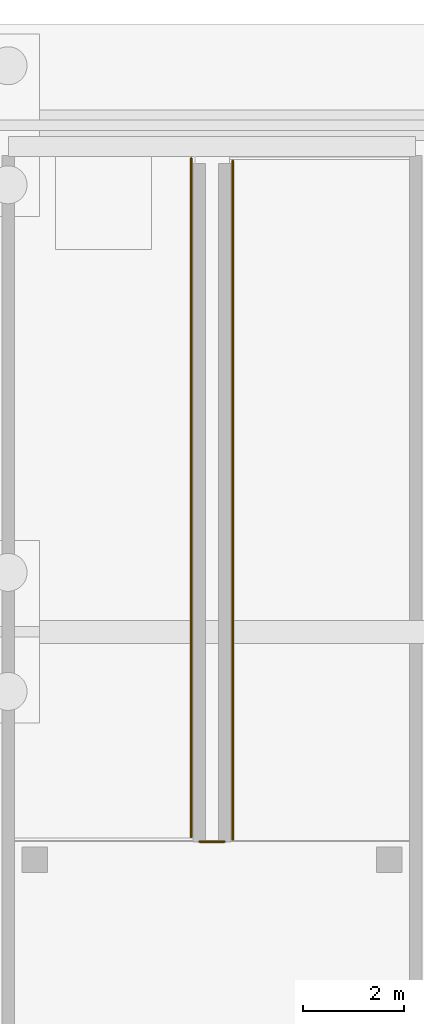
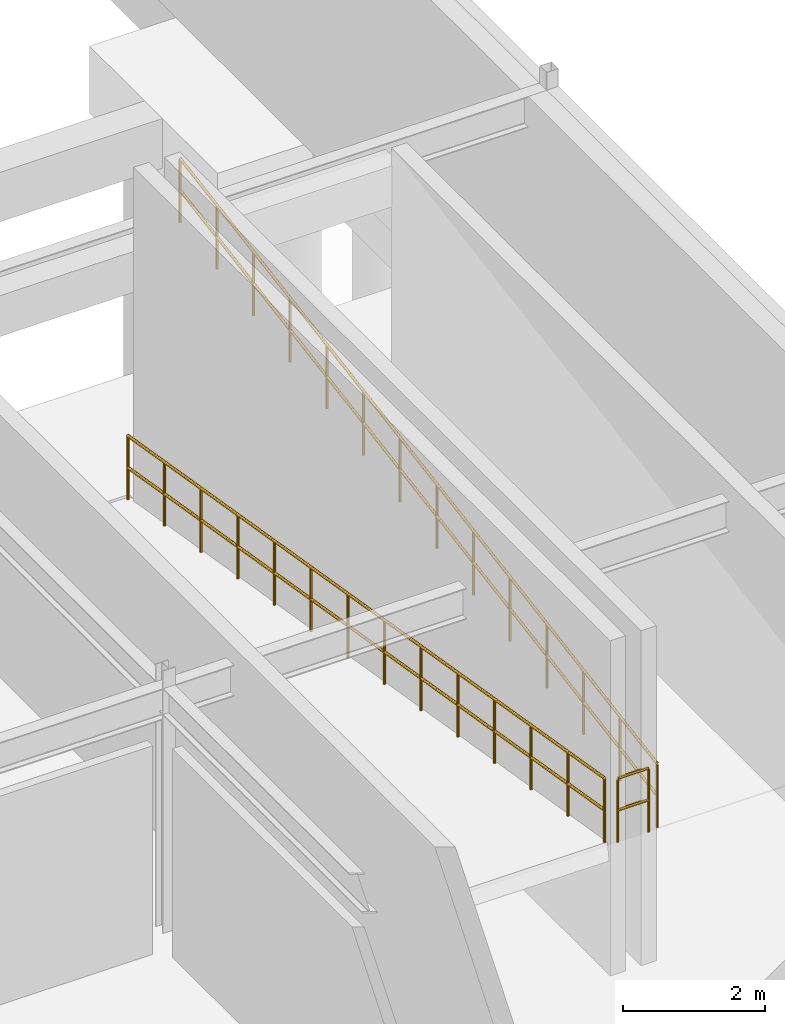
# One storey, part 74 of 75: 3 railings.
"""IFC4 building model written with IfcOpenShell, lengths in metres."""

from ifc_helpers import new_model, si_unit, derived_unit, direction, frame, origin, origin_2d_with_axis, place, context, subcontext, project, spatial, circle, extrude, material, layer, layer_set, type_object, element, save


model = new_model("IFC4")

# Units and contexts
model_context = context("Model", 3, precision=1e-05, world=origin(), true_north=direction((0.0, 1.0)))
body_context = subcontext(model_context, "Body", "Model", "MODEL_VIEW")
ifc_project = project(units=[si_unit("LENGTHUNIT", "METRE"), si_unit("AREAUNIT", "SQUARE_METRE"), si_unit("VOLUMEUNIT", "CUBIC_METRE"), si_unit("PLANEANGLEUNIT", "RADIAN"), si_unit("MASSUNIT", "GRAM", prefix="KILO"), derived_unit("THERMALTRANSMITTANCEUNIT", [(si_unit("POWERUNIT", "WATT"), 1), (si_unit("LENGTHUNIT", "METRE"), -2), (si_unit("THERMODYNAMICTEMPERATUREUNIT", "KELVIN"), -1)])], contexts=[model_context])

# Site, building, storey
site_placement = place(None, origin())
site = spatial("IfcSite", under=ifc_project, at=site_placement, CompositionType="ELEMENT")
building_placement = place(site_placement, origin())
building = spatial("IfcBuilding", under=site, at=building_placement, Name="Cinnabar Yard Market Hall", CompositionType="ELEMENT")
storey_placement = place(building_placement, frame((0.0, 0.0, -4.5)))
storey = spatial("IfcBuildingStorey", under=building, at=storey_placement, Name="B1", CompositionType="ELEMENT", Elevation=-4.5)

# Railings
ifc_material = material(Name="Galvanised steel Grade 300 (300 MPa) guardrail", Category="steel")
ifc_layer = layer(ifc_material, 0.06005859375)
ifc_layer_set = layer_set([ifc_layer], Name="Galvanised steel Grade 300 (300 MPa) guardrail")
railing_type = type_object("IfcRailingType", Name="RL-G03", PredefinedType="GUARDRAIL", material=ifc_layer_set)
railing_1_placement = place(storey_placement, frame((206.949951171875, 19.860107421875, 2.25)))
element("IfcRailing", 1, at=railing_1_placement, inside=storey, type_object=railing_type, Name="Cold-Chain Ramp Spine Turn Guard", PredefinedType="GUARDRAIL", context=body_context, shape_type="SweptSolid", body=[
    extrude(circle(Radius=0.02392578125, at=origin_2d_with_axis()), frame((0.0, 0.0, 1.09619140625), z_axis=(1.0, 0.0, 0.0), x_axis=(0.0, 1.0, 0.0)), (0.0, 0.0, 1.0), 0.5),
    extrude(circle(Radius=0.02392578125, at=origin_2d_with_axis()), frame((0.0, 0.0, 0.550048828125), z_axis=(1.0, 0.0, 0.0), x_axis=(0.0, 1.0, 0.0)), (0.0, 0.0, 1.0), 0.5),
    extrude(circle(Radius=0.02099609375, at=origin_2d_with_axis()), origin(), (0.0, 0.0, 1.0), 1.072021484375),
    extrude(circle(Radius=0.02099609375, at=origin_2d_with_axis()), frame((0.5, 0.0, 0.0)), (0.0, 0.0, 1.0), 1.072021484375),
])
railing_2_placement = place(storey_placement, frame((207.610107421875, 19.89990234375, 2.25)))
element("IfcRailing", 2, at=railing_2_placement, inside=storey, type_object=railing_type, Name="Cold-Chain Ramp Upper Flight Inner Guard", PredefinedType="GUARDRAIL", context=body_context, shape_type="SweptSolid", body=[
    extrude(circle(Radius=0.02392578125, at=origin_2d_with_axis()), frame((0.0, 0.0, 1.09619140625), z_axis=(0.0, 0.98619458775, 0.165590564627), x_axis=(-1.0, 0.0, 0.0)), (0.0, 0.0, 1.0), 13.587646484375),
    extrude(circle(Radius=0.02392578125, at=origin_2d_with_axis()), frame((0.0, 0.0, 0.550048828125), z_axis=(0.0, 0.98619458775, 0.165590564627), x_axis=(-1.0, 0.0, 0.0)), (0.0, 0.0, 1.0), 13.587646484375),
    extrude(circle(Radius=0.02099609375, at=origin_2d_with_axis()), origin(), (0.0, 0.0, 1.0), 1.072021484375),
    extrude(circle(Radius=0.02099609375, at=origin_2d_with_axis()), frame((0.0, 1.03076171875, 0.173095703125)), (0.0, 0.0, 1.0), 1.072021484375),
    extrude(circle(Radius=0.02099609375, at=origin_2d_with_axis()), frame((0.0, 2.0615234375, 0.34619140625)), (0.0, 0.0, 1.0), 1.072021484375),
    extrude(circle(Radius=0.02099609375, at=origin_2d_with_axis()), frame((0.0, 3.09228515625, 0.519287109375)), (0.0, 0.0, 1.0), 1.072021484375),
    extrude(circle(Radius=0.02099609375, at=origin_2d_with_axis()), frame((0.0, 4.123046875, 0.6923828125)), (0.0, 0.0, 1.0), 1.072021484375),
    extrude(circle(Radius=0.02099609375, at=origin_2d_with_axis()), frame((0.0, 5.15380859375, 0.865478515625)), (0.0, 0.0, 1.0), 1.072021484375),
    extrude(circle(Radius=0.02099609375, at=origin_2d_with_axis()), frame((0.0, 6.1845703125, 1.03857421875)), (0.0, 0.0, 1.0), 1.072021484375),
    extrude(circle(Radius=0.02099609375, at=origin_2d_with_axis()), frame((0.0, 7.215576171875, 1.21142578125)), (0.0, 0.0, 1.0), 1.072021484375),
    extrude(circle(Radius=0.02099609375, at=origin_2d_with_axis()), frame((0.0, 8.246337890625, 1.384521484375)), (0.0, 0.0, 1.0), 1.072021484375),
    extrude(circle(Radius=0.02099609375, at=origin_2d_with_axis()), frame((0.0, 9.277099609375, 1.5576171875)), (0.0, 0.0, 1.0), 1.072021484375),
    extrude(circle(Radius=0.02099609375, at=origin_2d_with_axis()), frame((0.0, 10.307861328125, 1.730712890625)), (0.0, 0.0, 1.0), 1.072021484375),
    extrude(circle(Radius=0.02099609375, at=origin_2d_with_axis()), frame((0.0, 11.338623046875, 1.90380859375)), (0.0, 0.0, 1.0), 1.072021484375),
    extrude(circle(Radius=0.02099609375, at=origin_2d_with_axis()), frame((0.0, 12.369384765625, 2.076904296875)), (0.0, 0.0, 1.0), 1.072021484375),
    extrude(circle(Radius=0.02099609375, at=origin_2d_with_axis()), frame((0.0, 13.400146484375, 2.25)), (0.0, 0.0, 1.0), 1.072021484375),
])
railing_3_placement = place(storey_placement, frame((206.7900390625, 33.35009765625, 0.0)))
element("IfcRailing", 3, at=railing_3_placement, inside=storey, type_object=railing_type, Name="Cold-Chain Ramp Lower Flight Inner Guard", PredefinedType="GUARDRAIL", context=body_context, shape_type="SweptSolid", body=[
    extrude(circle(Radius=0.02392578125, at=origin_2d_with_axis()), frame((0.0, 0.0, 1.09619140625), z_axis=(0.0, -0.98619458775, 0.165590564627), x_axis=(1.0, 0.0, 0.0)), (0.0, 0.0, 1.0), 13.587646484375),
    extrude(circle(Radius=0.02392578125, at=origin_2d_with_axis()), frame((0.0, 0.0, 0.550048828125), z_axis=(0.0, -0.98619458775, 0.165590564627), x_axis=(1.0, 0.0, 0.0)), (0.0, 0.0, 1.0), 13.587646484375),
    extrude(circle(Radius=0.02099609375, at=origin_2d_with_axis()), origin(), (0.0, 0.0, 1.0), 1.072021484375),
    extrude(circle(Radius=0.02099609375, at=origin_2d_with_axis()), frame((0.0, -1.03076171875, 0.173095703125)), (0.0, 0.0, 1.0), 1.072021484375),
    extrude(circle(Radius=0.02099609375, at=origin_2d_with_axis()), frame((0.0, -2.0615234375, 0.34619140625)), (0.0, 0.0, 1.0), 1.072021484375),
    extrude(circle(Radius=0.02099609375, at=origin_2d_with_axis()), frame((0.0, -3.09228515625, 0.519287109375)), (0.0, 0.0, 1.0), 1.072021484375),
    extrude(circle(Radius=0.02099609375, at=origin_2d_with_axis()), frame((0.0, -4.123046875, 0.6923828125)), (0.0, 0.0, 1.0), 1.072021484375),
    extrude(circle(Radius=0.02099609375, at=origin_2d_with_axis()), frame((0.0, -5.15380859375, 0.865478515625)), (0.0, 0.0, 1.0), 1.072021484375),
    extrude(circle(Radius=0.02099609375, at=origin_2d_with_axis()), frame((0.0, -6.1845703125, 1.03857421875)), (0.0, 0.0, 1.0), 1.072021484375),
    extrude(circle(Radius=0.02099609375, at=origin_2d_with_axis()), frame((0.0, -7.215576171875, 1.21142578125)), (0.0, 0.0, 1.0), 1.072021484375),
    extrude(circle(Radius=0.02099609375, at=origin_2d_with_axis()), frame((0.0, -8.246337890625, 1.384521484375)), (0.0, 0.0, 1.0), 1.072021484375),
    extrude(circle(Radius=0.02099609375, at=origin_2d_with_axis()), frame((0.0, -9.277099609375, 1.5576171875)), (0.0, 0.0, 1.0), 1.072021484375),
    extrude(circle(Radius=0.02099609375, at=origin_2d_with_axis()), frame((0.0, -10.307861328125, 1.730712890625)), (0.0, 0.0, 1.0), 1.072021484375),
    extrude(circle(Radius=0.02099609375, at=origin_2d_with_axis()), frame((0.0, -11.338623046875, 1.90380859375)), (0.0, 0.0, 1.0), 1.072021484375),
    extrude(circle(Radius=0.02099609375, at=origin_2d_with_axis()), frame((0.0, -12.369384765625, 2.076904296875)), (0.0, 0.0, 1.0), 1.072021484375),
    extrude(circle(Radius=0.02099609375, at=origin_2d_with_axis()), frame((0.0, -13.400146484375, 2.25)), (0.0, 0.0, 1.0), 1.072021484375),
])

save(model, "model.ifc")
